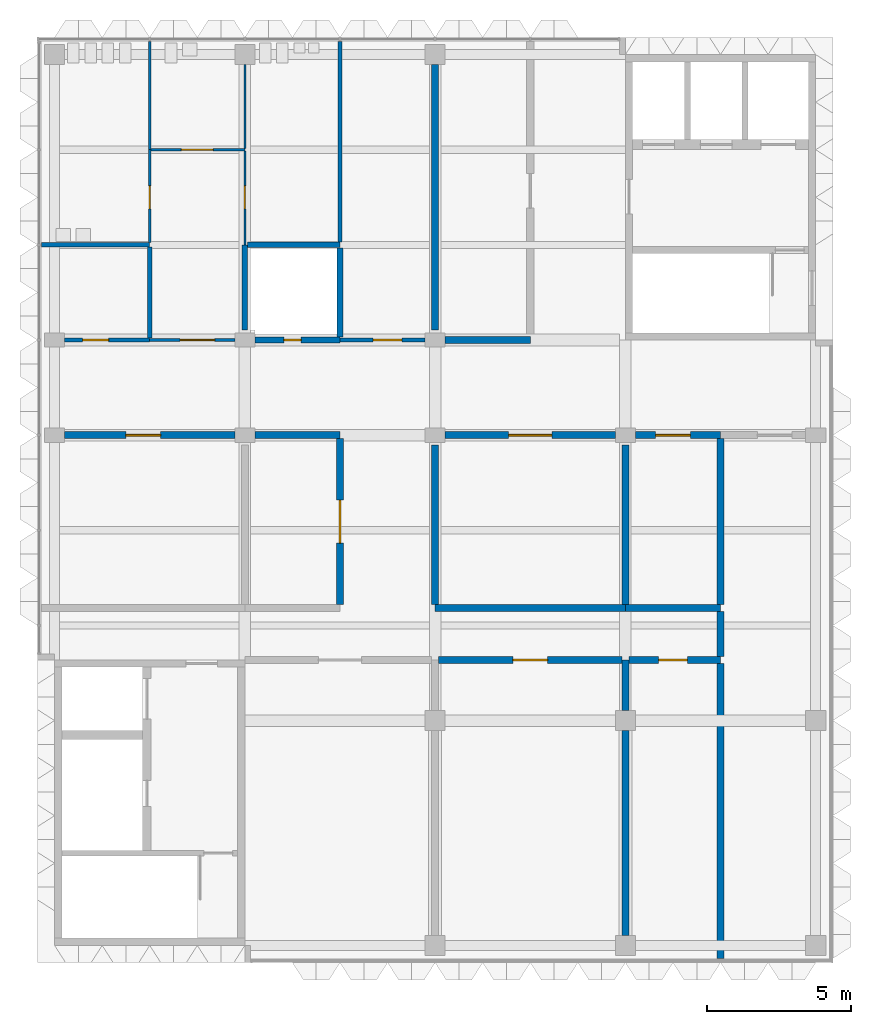
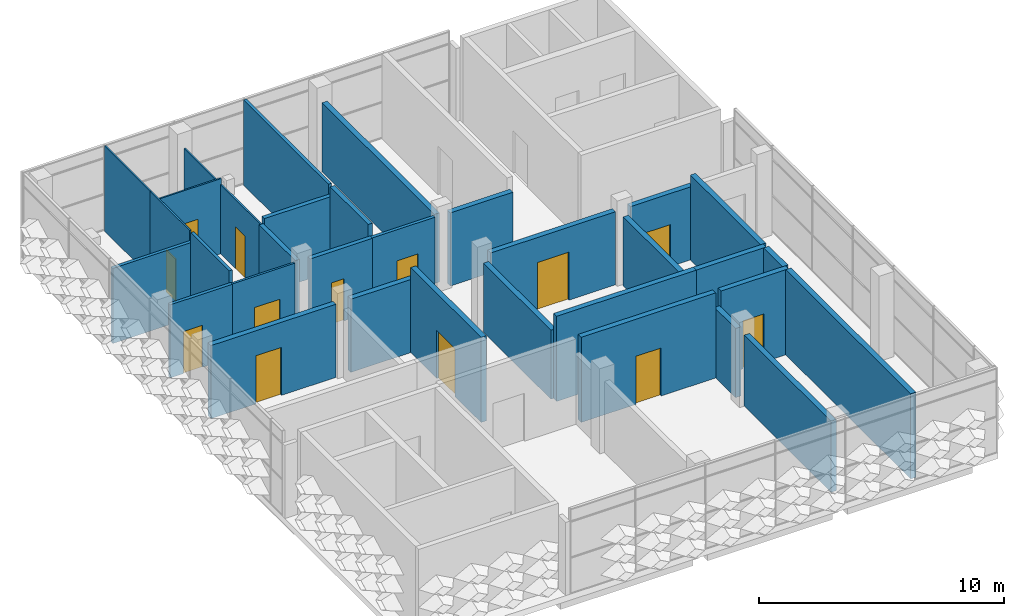
# One storey, part 9 of 21: 33 walls, 13 doors, 13 openings.
"""IFC4 building model written with IfcOpenShell, lengths in metres."""

from ifc_helpers import new_model, si_unit, direction, frame, frame_2d, origin, place, context, subcontext, project, spatial, rectangle, extrude, material, layer, layer_set, type_object, element, fill, save


model = new_model("IFC4")

# Units and contexts
model_context = context("Model", 3, precision=1e-05, world=origin(), true_north=direction((0.0, 1.0)))
body_context = subcontext(model_context, "Body", "Model", "MODEL_VIEW")
ifc_project = project(units=[si_unit("LENGTHUNIT", "METRE"), si_unit("AREAUNIT", "SQUARE_METRE"), si_unit("VOLUMEUNIT", "CUBIC_METRE"), si_unit("PLANEANGLEUNIT", "RADIAN"), si_unit("MASSUNIT", "GRAM", prefix="KILO")], contexts=[model_context])

# Site, building, storey
site_placement = place(None, origin())
site = spatial("IfcSite", under=ifc_project, at=site_placement, CompositionType="ELEMENT")
building_placement = place(site_placement, origin())
building = spatial("IfcBuilding", under=site, at=building_placement, Name="Lantern Court Research Institute", CompositionType="ELEMENT")
storey_placement = place(building_placement, frame((0.0, 0.0, 41.39990234375)))
storey = spatial("IfcBuildingStorey", under=building, at=storey_placement, Name="L09", CompositionType="ELEMENT", Elevation=41.39990234375)

# Wall, opening, door
ifc_material_1 = material(Name="Fire-rated gypsum board partition, mineral wool filled")
ifc_layer_1 = layer(ifc_material_1, 0.199951171875)
ifc_layer_set_1 = layer_set([ifc_layer_1], Name="Fire-rated gypsum board partition, mineral wool filled")
wall_type_1 = type_object("IfcWallType", Name="Compartment wall 200 EI 120", PredefinedType="PARTITIONING", material=ifc_layer_set_1)
wall_1_placement = place(storey_placement, frame((59.75, 13.199951171875, 0.0), z_axis=(0.0, 0.0, 1.0), x_axis=(1.0, 0.0, 0.0)))
wall_1 = element("IfcWall", 1, at=wall_1_placement, inside=storey, type_object=wall_type_1, Name="Compartment wall 200 EI 120", PredefinedType="PARTITIONING", context=body_context, shape_type="SweptSolid", body=[
    extrude(rectangle(XDim=2.949951171875, YDim=0.199951171875, at=frame_2d((1.47509765625, 0.0))), origin(), (0.0, 0.0, 1.0), 3.650146484375),
])
opening_1_placement = place(wall_1_placement, frame((1.0, 0.0, 0.0)))
opening_1 = element("IfcOpeningElement", 2, at=opening_1_placement, cuts=wall_1, Name="Opening D5905", PredefinedType="OPENING", context=body_context, shape_type="SweptSolid", body=[
    extrude(rectangle(XDim=0.60009765625, YDim=2.10009765625, at=frame_2d((0.300048828125, 1.050048828125))), frame((0.0, 0.10986328125, 0.0), z_axis=(0.0, -1.0, 0.0), x_axis=(1.0, 0.0, 0.0)), (0.0, 0.0, 1.0), 0.219970703125),
])
ifc_material_2 = material(Name="Solid-core timber door leaf", Category="wood")
ifc_layer_2 = layer(ifc_material_2, 0.06005859375)
ifc_layer_set_2 = layer_set([ifc_layer_2], Name="Solid-core timber door leaf")
door_type_1 = type_object("IfcDoorType", Name="Service riser door 600 x 2100 single FD60", OperationType="NOTDEFINED", PredefinedType="DOOR", material=ifc_layer_set_2)
door_1_placement = place(opening_1_placement, origin())
door_1 = element("IfcDoor", 3, at=door_1_placement, inside=storey, type_object=door_type_1, Name="Door D5905", OperationType="SINGLE_SWING_RIGHT", OverallHeight=2.10009765625, OverallWidth=0.60009765625, PredefinedType="DOOR", context=body_context, shape_type="SweptSolid", body=[
    extrude(rectangle(XDim=0.60009765625, YDim=2.10009765625, at=frame_2d((0.300048828125, 1.050048828125))), frame((0.0, 0.030029296875, 0.0), z_axis=(0.0, -1.0, 0.0), x_axis=(1.0, 0.0, 0.0)), (0.0, 0.0, 1.0), 0.06005859375),
])
fill(opening_1, door_1)

# Walls
wall_2_placement = place(storey_placement, frame((59.39990234375, 13.550048828125, 0.0), z_axis=(0.0, 0.0, 1.0), x_axis=(0.0, 1.0, 0.0)))
element("IfcWall", 4, at=wall_2_placement, inside=storey, type_object=wall_type_1, Name="Compartment wall 200 EI 120", PredefinedType="PARTITIONING", context=body_context, shape_type="SweptSolid", body=[
    extrude(rectangle(XDim=2.949951171875, YDim=0.199951171875, at=frame_2d((1.47509765625, 0.0))), origin(), (0.0, 0.0, 1.0), 3.4501953125),
])
wall_3_placement = place(storey_placement, frame((62.699951171875, 16.5, 0.0), z_axis=(0.0, 0.0, 1.0), x_axis=(-1.0, 0.0, 0.0)))
element("IfcWall", 5, at=wall_3_placement, inside=storey, type_object=wall_type_1, Name="Compartment wall 200 EI 120", PredefinedType="PARTITIONING", context=body_context, shape_type="SweptSolid", body=[
    extrude(rectangle(XDim=3.199951171875, YDim=0.199951171875, at=frame_2d((1.60009765625, 0.0))), origin(), (0.0, 0.0, 1.0), 3.75),
])
wall_4_placement = place(storey_placement, frame((62.699951171875, 13.300048828125, 0.0), z_axis=(0.0, 0.0, 1.0), x_axis=(0.0, 1.0, 0.0)))
element("IfcWall", 6, at=wall_4_placement, inside=storey, type_object=wall_type_1, Name="Compartment wall 200 EI 120", PredefinedType="PARTITIONING", context=body_context, shape_type="SweptSolid", body=[
    extrude(rectangle(XDim=3.099853515625, YDim=0.199951171875, at=frame_2d((1.5498046875, 0.0))), origin(), (0.0, 0.0, 1.0), 4.25),
])

# Wall, opening, door
ifc_material_3 = material(Name="Fire-rated gypsum board partition, mineral wool filled")
ifc_layer_3 = layer(ifc_material_3, 0.14990234375)
ifc_layer_set_3 = layer_set([ifc_layer_3], Name="Fire-rated gypsum board partition, mineral wool filled")
wall_type_2 = type_object("IfcWallType", Name="Laboratory partition 150 EI 60", PredefinedType="PARTITIONING", material=ifc_layer_set_3)
wall_5_placement = place(storey_placement, frame((56.10009765625, 13.199951171875, 0.0), z_axis=(0.0, 0.0, 1.0), x_axis=(-1.0, 0.0, 0.0)))
wall_5 = element("IfcWall", 7, at=wall_5_placement, inside=storey, type_object=wall_type_2, Name="Laboratory partition 150 EI 60", PredefinedType="PARTITIONING", context=body_context, shape_type="SweptSolid", body=[
    extrude(rectangle(XDim=2.9501953125, YDim=0.14990234375, at=frame_2d((1.47509765625, 0.0))), origin(), (0.0, 0.0, 1.0), 3.650146484375),
])
opening_2_placement = place(wall_5_placement, frame((1.425048828125, 0.0, 0.0)))
opening_2 = element("IfcOpeningElement", 8, at=opening_2_placement, cuts=wall_5, Name="Opening D5901", PredefinedType="OPENING", context=body_context, shape_type="SweptSolid", body=[
    extrude(rectangle(XDim=0.89990234375, YDim=2.10009765625, at=frame_2d((0.449951171875, 1.050048828125))), frame((0.0, 0.0849609375, 0.0), z_axis=(0.0, -1.0, 0.0), x_axis=(1.0, 0.0, 0.0)), (0.0, 0.0, 1.0), 0.169921875),
])
ifc_material_4 = material(Name="Solid-core timber door leaf", Category="wood")
ifc_layer_4 = layer(ifc_material_4, 0.053955078125)
ifc_layer_set_4 = layer_set([ifc_layer_4], Name="Solid-core timber door leaf")
door_type_2 = type_object("IfcDoorType", Name="Cleaners store door 900 x 2100 single FD30S", OperationType="NOTDEFINED", PredefinedType="DOOR", material=ifc_layer_set_4)
door_2_placement = place(opening_2_placement, origin())
door_2 = element("IfcDoor", 9, at=door_2_placement, inside=storey, type_object=door_type_2, Name="Door D5901", OperationType="SINGLE_SWING_LEFT", OverallHeight=2.10009765625, OverallWidth=0.89990234375, PredefinedType="DOOR", context=body_context, shape_type="SweptSolid", body=[
    extrude(rectangle(XDim=0.89990234375, YDim=2.10009765625, at=frame_2d((0.449951171875, 1.050048828125))), frame((0.0, 0.02685546875, 0.0), z_axis=(0.0, -1.0, 0.0), x_axis=(1.0, 0.0, 0.0)), (0.0, 0.0, 1.0), 0.053955078125),
])
fill(opening_2, door_2)

wall_6_placement = place(storey_placement, frame((62.699951171875, 13.199951171875, 0.0), z_axis=(0.0, 0.0, 1.0), x_axis=(1.0, 0.0, 0.0)))
wall_6 = element("IfcWall", 10, at=wall_6_placement, inside=storey, type_object=wall_type_2, Name="Laboratory partition 150 EI 60", PredefinedType="PARTITIONING", context=body_context, shape_type="SweptSolid", body=[
    extrude(rectangle(XDim=2.949951171875, YDim=0.14990234375, at=frame_2d((1.47509765625, 0.0))), origin(), (0.0, 0.0, 1.0), 3.650146484375),
])
opening_3_placement = place(wall_6_placement, frame((1.14990234375, 0.0, 0.0)))
opening_3 = element("IfcOpeningElement", 11, at=opening_3_placement, cuts=wall_6, Name="Opening D5907", PredefinedType="OPENING", context=body_context, shape_type="SweptSolid", body=[
    extrude(rectangle(XDim=1.0, YDim=2.10009765625, at=frame_2d((0.5, 1.050048828125))), frame((0.0, 0.0849609375, 0.0), z_axis=(0.0, -1.0, 0.0), x_axis=(1.0, 0.0, 0.0)), (0.0, 0.0, 1.0), 0.169921875),
])
ifc_material_5 = material(Name="Solid-core timber door leaf", Category="wood")
ifc_layer_5 = layer(ifc_material_5, 0.053955078125)
ifc_layer_set_5 = layer_set([ifc_layer_5], Name="Solid-core timber door leaf")
door_type_3 = type_object("IfcDoorType", Name="Control room door 1000 x 2100 single FD30S", OperationType="NOTDEFINED", PredefinedType="DOOR", material=ifc_layer_set_5)
door_3_placement = place(opening_3_placement, origin())
door_3 = element("IfcDoor", 12, at=door_3_placement, inside=storey, type_object=door_type_3, Name="Door D5907", OperationType="SINGLE_SWING_RIGHT", OverallHeight=2.10009765625, OverallWidth=1.0, PredefinedType="DOOR", context=body_context, shape_type="SweptSolid", body=[
    extrude(rectangle(XDim=1.0, YDim=2.10009765625, at=frame_2d((0.5, 1.050048828125))), frame((0.0, 0.02685546875, 0.0), z_axis=(0.0, -1.0, 0.0), x_axis=(1.0, 0.0, 0.0)), (0.0, 0.0, 1.0), 0.053955078125),
])
fill(opening_3, door_3)

# Walls
wall_7_placement = place(storey_placement, frame((56.10009765625, 16.5, 0.0), z_axis=(0.0, 0.0, 1.0), x_axis=(-1.0, 0.0, 0.0)))
element("IfcWall", 13, at=wall_7_placement, inside=storey, type_object=wall_type_2, Name="Laboratory partition 150 EI 60", PredefinedType="PARTITIONING", context=body_context, shape_type="SweptSolid", body=[
    extrude(rectangle(XDim=3.75, YDim=0.14990234375, at=frame_2d((1.875, 0.0))), origin(), (0.0, 0.0, 1.0), 3.75),
])
wall_8_placement = place(storey_placement, frame((56.10009765625, 13.27490234375, 0.0), z_axis=(0.0, 0.0, 1.0), x_axis=(0.0, 1.0, 0.0)))
element("IfcWall", 14, at=wall_8_placement, inside=storey, type_object=wall_type_2, Name="Laboratory partition 150 EI 60", PredefinedType="PARTITIONING", context=body_context, shape_type="SweptSolid", body=[
    extrude(rectangle(XDim=3.150146484375, YDim=0.14990234375, at=frame_2d((1.5751953125, 0.0))), origin(), (0.0, 0.0, 1.0), 4.25),
])
wall_9_placement = place(storey_placement, frame((62.699951171875, 16.60009765625, 0.0), z_axis=(0.0, 0.0, 1.0), x_axis=(0.0, 1.0, 0.0)))
element("IfcWall", 15, at=wall_9_placement, inside=storey, type_object=wall_type_2, Name="Laboratory partition 150 EI 60", PredefinedType="PARTITIONING", context=body_context, shape_type="SweptSolid", body=[
    extrude(rectangle(XDim=6.949951171875, YDim=0.14990234375, at=frame_2d((3.47509765625, 0.0))), origin(), (0.0, 0.0, 1.0), 4.25),
])

# Wall, opening, door
ifc_material_6 = material(Name="Gypsum board partition, mineral wool filled")
ifc_layer_6 = layer(ifc_material_6, 0.10009765625)
ifc_layer_set_6 = layer_set([ifc_layer_6], Name="Gypsum board partition, mineral wool filled")
wall_type_3 = type_object("IfcWallType", Name="Partition 100", PredefinedType="PARTITIONING", material=ifc_layer_set_6)
wall_10_placement = place(storey_placement, frame((56.10009765625, 13.199951171875, 0.0), z_axis=(0.0, 0.0, 1.0), x_axis=(1.0, 0.0, 0.0)))
wall_10 = element("IfcWall", 16, at=wall_10_placement, inside=storey, type_object=wall_type_3, Name="Partition 100", PredefinedType="PARTITIONING", context=body_context, shape_type="SweptSolid", body=[
    extrude(rectangle(XDim=2.949951171875, YDim=0.10009765625, at=frame_2d((1.47509765625, 0.0))), origin(), (0.0, 0.0, 1.0), 3.650146484375),
])
opening_4_placement = place(wall_10_placement, frame((1.050048828125, 0.0, 0.0)))
opening_4 = element("IfcOpeningElement", 17, at=opening_4_placement, cuts=wall_10, Name="Opening D5903", PredefinedType="OPENING", context=body_context, shape_type="SweptSolid", body=[
    extrude(rectangle(XDim=1.199951171875, YDim=2.10009765625, at=frame_2d((0.60009765625, 1.050048828125))), frame((0.0, 0.06005859375, 0.0), z_axis=(0.0, -1.0, 0.0), x_axis=(1.0, 0.0, 0.0)), (0.0, 0.0, 1.0), 0.1201171875),
])
ifc_material_7 = material(Name="Solid-core timber door leaf", Category="wood")
ifc_layer_7 = layer(ifc_material_7, 0.0439453125)
ifc_layer_set_7 = layer_set([ifc_layer_7], Name="Solid-core timber door leaf")
door_type_4 = type_object("IfcDoorType", Name="WC vestibule door 1200 x 2100 single NOT RATED", OperationType="NOTDEFINED", PredefinedType="DOOR", material=ifc_layer_set_7)
door_4_placement = place(opening_4_placement, origin())
door_4 = element("IfcDoor", 18, at=door_4_placement, inside=storey, type_object=door_type_4, Name="Door D5903", OperationType="SINGLE_SWING_RIGHT", OverallHeight=2.10009765625, OverallWidth=1.199951171875, PredefinedType="DOOR", context=body_context, shape_type="SweptSolid", body=[
    extrude(rectangle(XDim=1.199951171875, YDim=2.10009765625, at=frame_2d((0.60009765625, 1.050048828125))), frame((0.0, 0.02197265625, 0.0), z_axis=(0.0, -1.0, 0.0), x_axis=(1.0, 0.0, 0.0)), (0.0, 0.0, 1.0), 0.0439453125),
])
fill(opening_4, door_4)

# Wall
ifc_material_8 = material(Name="Fire-rated gypsum board partition, double stud, mineral wool filled")
ifc_layer_8 = layer(ifc_material_8, 0.25)
ifc_layer_set_8 = layer_set([ifc_layer_8], Name="Fire-rated gypsum board partition, double stud, mineral wool filled")
wall_type_4 = type_object("IfcWallType", Name="Plant compartment wall 250 EI 120", PredefinedType="PARTITIONING", material=ifc_layer_set_8)
wall_11_placement = place(storey_placement, frame((69.300048828125, 13.199951171875, 0.0), z_axis=(0.0, 0.0, 1.0), x_axis=(-1.0, 0.0, 0.0)))
element("IfcWall", 19, at=wall_11_placement, inside=storey, type_object=wall_type_4, Name="Plant compartment wall 250 EI 120", PredefinedType="PARTITIONING", context=body_context, shape_type="SweptSolid", body=[
    extrude(rectangle(XDim=2.949951171875, YDim=0.25, at=frame_2d((1.47509765625, 0.0))), origin(), (0.0, 0.0, 1.0), 3.650146484375),
])

# Wall, opening, door
wall_12_placement = place(storey_placement, frame((53.14990234375, 9.89990234375, 0.0), z_axis=(0.0, 0.0, 1.0), x_axis=(1.0, 0.0, 0.0)))
wall_12 = element("IfcWall", 20, at=wall_12_placement, inside=storey, type_object=wall_type_4, Name="Plant compartment wall 250 EI 120", PredefinedType="PARTITIONING", context=body_context, shape_type="SweptSolid", body=[
    extrude(rectangle(XDim=5.900146484375, YDim=0.25, at=frame_2d((2.9501953125, 0.0))), origin(), (0.0, 0.0, 1.0), 3.650146484375),
])
opening_5_placement = place(wall_12_placement, frame((2.125, 0.0, 0.0)))
opening_5 = element("IfcOpeningElement", 21, at=opening_5_placement, cuts=wall_12, Name="Opening D5912", PredefinedType="OPENING", context=body_context, shape_type="SweptSolid", body=[
    extrude(rectangle(XDim=1.199951171875, YDim=2.39990234375, at=frame_2d((0.60009765625, 1.199951171875))), frame((0.0, 0.135009765625, 0.0), z_axis=(0.0, -1.0, 0.0), x_axis=(1.0, 0.0, 0.0)), (0.0, 0.0, 1.0), 0.27001953125),
])
ifc_material_9 = material(Name="Solid-core timber door leaf", Category="wood")
ifc_layer_9 = layer(ifc_material_9, 0.06005859375)
ifc_layer_set_9 = layer_set([ifc_layer_9], Name="Solid-core timber door leaf")
door_type_5 = type_object("IfcDoorType", Name="Plant room door 1200 x 2400 single FD60", OperationType="NOTDEFINED", PredefinedType="DOOR", material=ifc_layer_set_9)
door_5_placement = place(opening_5_placement, origin())
door_5 = element("IfcDoor", 22, at=door_5_placement, inside=storey, type_object=door_type_5, Name="Door D5912", OperationType="SINGLE_SWING_LEFT", OverallHeight=2.39990234375, OverallWidth=1.199951171875, PredefinedType="DOOR", context=body_context, shape_type="SweptSolid", body=[
    extrude(rectangle(XDim=1.199951171875, YDim=2.39990234375, at=frame_2d((0.60009765625, 1.199951171875))), frame((0.0, 0.030029296875, 0.0), z_axis=(0.0, -1.0, 0.0), x_axis=(1.0, 0.0, 0.0)), (0.0, 0.0, 1.0), 0.06005859375),
])
fill(opening_5, door_5)

# Wall
wall_13_placement = place(storey_placement, frame((59.75, 9.89990234375, 0.0), z_axis=(0.0, 0.0, 1.0), x_axis=(1.0, 0.0, 0.0)))
element("IfcWall", 23, at=wall_13_placement, inside=storey, type_object=wall_type_4, Name="Plant compartment wall 250 EI 120", PredefinedType="PARTITIONING", context=body_context, shape_type="SweptSolid", body=[
    extrude(rectangle(XDim=2.949951171875, YDim=0.25, at=frame_2d((1.47509765625, 0.0))), origin(), (0.0, 0.0, 1.0), 3.650146484375),
])

# Wall, opening, door
wall_14_placement = place(storey_placement, frame((66.35009765625, 9.89990234375, 0.0), z_axis=(0.0, 0.0, 1.0), x_axis=(1.0, 0.0, 0.0)))
wall_14 = element("IfcWall", 24, at=wall_14_placement, inside=storey, type_object=wall_type_4, Name="Plant compartment wall 250 EI 120", PredefinedType="PARTITIONING", context=body_context, shape_type="SweptSolid", body=[
    extrude(rectangle(XDim=5.89990234375, YDim=0.25, at=frame_2d((2.949951171875, 0.0))), origin(), (0.0, 0.0, 1.0), 3.650146484375),
])
opening_6_placement = place(wall_14_placement, frame((2.199951171875, 0.0, 0.0)))
opening_6 = element("IfcOpeningElement", 25, at=opening_6_placement, cuts=wall_14, Name="Opening D5914", PredefinedType="OPENING", context=body_context, shape_type="SweptSolid", body=[
    extrude(rectangle(XDim=1.5, YDim=2.39990234375, at=frame_2d((0.75, 1.199951171875))), frame((0.0, 0.135009765625, 0.0), z_axis=(0.0, -1.0, 0.0), x_axis=(1.0, 0.0, 0.0)), (0.0, 0.0, 1.0), 0.27001953125),
])
ifc_material_10 = material(Name="Solid-core timber door leaf", Category="wood")
ifc_layer_10 = layer(ifc_material_10, 0.06005859375)
ifc_layer_set_10 = layer_set([ifc_layer_10], Name="Solid-core timber door leaf")
door_type_6 = type_object("IfcDoorType", Name="Exhaust fan room door 1500 x 2400 pair FD60", OperationType="DOUBLE_DOOR_SINGLE_SWING", PredefinedType="DOOR", material=ifc_layer_set_10)
door_6_placement = place(opening_6_placement, origin())
door_6 = element("IfcDoor", 26, at=door_6_placement, inside=storey, type_object=door_type_6, Name="Door D5914", OperationType="DOUBLE_DOOR_SINGLE_SWING", OverallHeight=2.39990234375, OverallWidth=1.5, PredefinedType="DOOR", context=body_context, shape_type="SweptSolid", body=[
    extrude(rectangle(XDim=1.5, YDim=2.39990234375, at=frame_2d((0.75, 1.199951171875))), frame((0.0, 0.030029296875, 0.0), z_axis=(0.0, -1.0, 0.0), x_axis=(1.0, 0.0, 0.0)), (0.0, 0.0, 1.0), 0.06005859375),
])
fill(opening_6, door_6)

wall_15_placement = place(storey_placement, frame((72.949951171875, 9.89990234375, 0.0), z_axis=(0.0, 0.0, 1.0), x_axis=(1.0, 0.0, 0.0)))
wall_15 = element("IfcWall", 27, at=wall_15_placement, inside=storey, type_object=wall_type_4, Name="Plant compartment wall 250 EI 120", PredefinedType="PARTITIONING", context=body_context, shape_type="SweptSolid", body=[
    extrude(rectangle(XDim=2.949951171875, YDim=0.25, at=frame_2d((1.47509765625, 0.0))), origin(), (0.0, 0.0, 1.0), 3.650146484375),
])
opening_7_placement = place(wall_15_placement, frame((0.699951171875, 0.0, 0.0)))
opening_7 = element("IfcOpeningElement", 28, at=opening_7_placement, cuts=wall_15, Name="Opening D5915", PredefinedType="OPENING", context=body_context, shape_type="SweptSolid", body=[
    extrude(rectangle(XDim=1.199951171875, YDim=2.10009765625, at=frame_2d((0.60009765625, 1.050048828125))), frame((0.0, 0.135009765625, 0.0), z_axis=(0.0, -1.0, 0.0), x_axis=(1.0, 0.0, 0.0)), (0.0, 0.0, 1.0), 0.27001953125),
])
ifc_material_11 = material(Name="Solid-core timber door leaf", Category="wood")
ifc_layer_11 = layer(ifc_material_11, 0.06005859375)
ifc_layer_set_11 = layer_set([ifc_layer_11], Name="Solid-core timber door leaf")
door_type_7 = type_object("IfcDoorType", Name="Air handling plant door 1200 x 2100 single FD60", OperationType="NOTDEFINED", PredefinedType="DOOR", material=ifc_layer_set_11)
door_7_placement = place(opening_7_placement, origin())
door_7 = element("IfcDoor", 29, at=door_7_placement, inside=storey, type_object=door_type_7, Name="Door D5915", OperationType="SINGLE_SWING_LEFT", OverallHeight=2.10009765625, OverallWidth=1.199951171875, PredefinedType="DOOR", context=body_context, shape_type="SweptSolid", body=[
    extrude(rectangle(XDim=1.199951171875, YDim=2.10009765625, at=frame_2d((0.60009765625, 1.050048828125))), frame((0.0, 0.030029296875, 0.0), z_axis=(0.0, -1.0, 0.0), x_axis=(1.0, 0.0, 0.0)), (0.0, 0.0, 1.0), 0.06005859375),
])
fill(opening_7, door_7)

# Walls
wall_16_placement = place(storey_placement, frame((66.0, 13.550048828125, 0.0), z_axis=(0.0, 0.0, 1.0), x_axis=(0.0, 1.0, 0.0)))
element("IfcWall", 30, at=wall_16_placement, inside=storey, type_object=wall_type_4, Name="Plant compartment wall 250 EI 120", PredefinedType="PARTITIONING", context=body_context, shape_type="SweptSolid", body=[
    extrude(rectangle(XDim=9.199951171875, YDim=0.25, at=frame_2d((4.60009765625, 0.0))), origin(), (0.0, 0.0, 1.0), 3.4501953125),
])
wall_17_placement = place(storey_placement, frame((72.60009765625, -7.449951171875, 0.0), z_axis=(0.0, 0.0, 1.0), x_axis=(0.0, 1.0, 0.0)))
element("IfcWall", 31, at=wall_17_placement, inside=storey, type_object=wall_type_4, Name="Plant compartment wall 250 EI 120", PredefinedType="PARTITIONING", context=body_context, shape_type="SweptSolid", body=[
    extrude(rectangle(XDim=7.099853515625, YDim=0.25, at=frame_2d((3.5498046875, 0.0))), origin(), (0.0, 0.0, 1.0), 3.550048828125),
])
wall_18_placement = place(storey_placement, frame((72.60009765625, 0.35009765625, 0.0), z_axis=(0.0, 0.0, 1.0), x_axis=(0.0, 1.0, 0.0)))
element("IfcWall", 32, at=wall_18_placement, inside=storey, type_object=wall_type_4, Name="Plant compartment wall 250 EI 120", PredefinedType="PARTITIONING", context=body_context, shape_type="SweptSolid", body=[
    extrude(rectangle(XDim=1.75, YDim=0.25, at=frame_2d((0.875, 0.0))), origin(), (0.0, 0.0, 1.0), 3.4501953125),
])

# Wall, opening, door
wall_19_placement = place(storey_placement, frame((72.47509765625, 2.10009765625, 0.0), z_axis=(0.0, 0.0, 1.0), x_axis=(-1.0, 0.0, 0.0)))
wall_19 = element("IfcWall", 33, at=wall_19_placement, inside=storey, type_object=wall_type_4, Name="Plant compartment wall 250 EI 120", PredefinedType="PARTITIONING", context=body_context, shape_type="SweptSolid", body=[
    extrude(rectangle(XDim=6.35009765625, YDim=0.25, at=frame_2d((3.175048828125, 0.0))), origin(), (0.0, 0.0, 1.0), 4.25),
])
opening_8_placement = place(wall_19_placement, frame((2.574951171875, 0.0, 0.0)))
opening_8 = element("IfcOpeningElement", 34, at=opening_8_placement, cuts=wall_19, Name="Opening D5910", PredefinedType="OPENING", context=body_context, shape_type="SweptSolid", body=[
    extrude(rectangle(XDim=1.199951171875, YDim=2.39990234375, at=frame_2d((0.60009765625, 1.199951171875))), frame((0.0, 0.135009765625, 0.0), z_axis=(0.0, -1.0, 0.0), x_axis=(1.0, 0.0, 0.0)), (0.0, 0.0, 1.0), 0.27001953125),
])
door_8_placement = place(opening_8_placement, origin())
door_8 = element("IfcDoor", 35, at=door_8_placement, inside=storey, type_object=door_type_5, Name="Door D5910", OperationType="SINGLE_SWING_LEFT", OverallHeight=2.39990234375, OverallWidth=1.199951171875, PredefinedType="DOOR", context=body_context, shape_type="SweptSolid", body=[
    extrude(rectangle(XDim=1.199951171875, YDim=2.39990234375, at=frame_2d((0.60009765625, 1.199951171875))), frame((0.0, 0.030029296875, 0.0), z_axis=(0.0, -1.0, 0.0), x_axis=(1.0, 0.0, 0.0)), (0.0, 0.0, 1.0), 0.06005859375),
])
fill(opening_8, door_8)

wall_20_placement = place(storey_placement, frame((75.89990234375, 2.10009765625, 0.0), z_axis=(0.0, 0.0, 1.0), x_axis=(-1.0, 0.0, 0.0)))
wall_20 = element("IfcWall", 36, at=wall_20_placement, inside=storey, type_object=wall_type_4, Name="Plant compartment wall 250 EI 120", PredefinedType="PARTITIONING", context=body_context, shape_type="SweptSolid", body=[
    extrude(rectangle(XDim=3.1748046875, YDim=0.25, at=frame_2d((1.58740234375, 0.0))), origin(), (0.0, 0.0, 1.0), 4.25),
])
opening_9_placement = place(wall_20_placement, frame((1.14990234375, 0.0, 0.0)))
opening_9 = element("IfcOpeningElement", 37, at=opening_9_placement, cuts=wall_20, Name="Opening D5911", PredefinedType="OPENING", context=body_context, shape_type="SweptSolid", body=[
    extrude(rectangle(XDim=1.0, YDim=2.39990234375, at=frame_2d((0.5, 1.199951171875))), frame((0.0, 0.135009765625, 0.0), z_axis=(0.0, -1.0, 0.0), x_axis=(1.0, 0.0, 0.0)), (0.0, 0.0, 1.0), 0.27001953125),
])
ifc_material_12 = material(Name="Solid-core timber door leaf", Category="wood")
ifc_layer_12 = layer(ifc_material_12, 0.06005859375)
ifc_layer_set_12 = layer_set([ifc_layer_12], Name="Solid-core timber door leaf")
door_type_8 = type_object("IfcDoorType", Name="Switch room door 1000 x 2400 single FD60", OperationType="NOTDEFINED", PredefinedType="DOOR", material=ifc_layer_set_12)
door_9_placement = place(opening_9_placement, origin())
door_9 = element("IfcDoor", 38, at=door_9_placement, inside=storey, type_object=door_type_8, Name="Door D5911", OperationType="SINGLE_SWING_LEFT", OverallHeight=2.39990234375, OverallWidth=1.0, PredefinedType="DOOR", context=body_context, shape_type="SweptSolid", body=[
    extrude(rectangle(XDim=1.0, YDim=2.39990234375, at=frame_2d((0.5, 1.199951171875))), frame((0.0, 0.030029296875, 0.0), z_axis=(0.0, -1.0, 0.0), x_axis=(1.0, 0.0, 0.0)), (0.0, 0.0, 1.0), 0.06005859375),
])
fill(opening_9, door_9)

# Walls
wall_21_placement = place(storey_placement, frame((75.89990234375, -8.25, 0.0), z_axis=(0.0, 0.0, 1.0), x_axis=(0.0, 1.0, 0.0)))
element("IfcWall", 39, at=wall_21_placement, inside=storey, type_object=wall_type_4, Name="Plant compartment wall 250 EI 120", PredefinedType="PARTITIONING", context=body_context, shape_type="SweptSolid", body=[
    extrude(rectangle(XDim=10.22509765625, YDim=0.25, at=frame_2d((5.112548828125, 0.0))), origin(), (0.0, 0.0, 1.0), 4.25),
])
wall_22_placement = place(storey_placement, frame((72.60009765625, 3.89990234375, 0.0), z_axis=(0.0, 0.0, 1.0), x_axis=(-1.0, 0.0, 0.0)))
element("IfcWall", 40, at=wall_22_placement, inside=storey, type_object=wall_type_4, Name="Plant compartment wall 250 EI 120", PredefinedType="PARTITIONING", context=body_context, shape_type="SweptSolid", body=[
    extrude(rectangle(XDim=6.60009765625, YDim=0.25, at=frame_2d((3.300048828125, 0.0))), origin(), (0.0, 0.0, 1.0), 4.25),
])
wall_23_placement = place(storey_placement, frame((75.89990234375, 3.89990234375, 0.0), z_axis=(0.0, 0.0, 1.0), x_axis=(-1.0, 0.0, 0.0)))
element("IfcWall", 41, at=wall_23_placement, inside=storey, type_object=wall_type_4, Name="Plant compartment wall 250 EI 120", PredefinedType="PARTITIONING", context=body_context, shape_type="SweptSolid", body=[
    extrude(rectangle(XDim=3.2998046875, YDim=0.25, at=frame_2d((1.64990234375, 0.0))), origin(), (0.0, 0.0, 1.0), 4.25),
])
wall_24_placement = place(storey_placement, frame((75.89990234375, 2.22509765625, 0.0), z_axis=(0.0, 0.0, 1.0), x_axis=(0.0, 1.0, 0.0)))
element("IfcWall", 42, at=wall_24_placement, inside=storey, type_object=wall_type_4, Name="Plant compartment wall 250 EI 120", PredefinedType="PARTITIONING", context=body_context, shape_type="SweptSolid", body=[
    extrude(rectangle(XDim=1.5498046875, YDim=0.25, at=frame_2d((0.77490234375, 0.0))), origin(), (0.0, 0.0, 1.0), 4.25),
])

# Wall, opening, door
wall_25_placement = place(storey_placement, frame((62.699951171875, 9.77490234375, 0.0), z_axis=(0.0, 0.0, 1.0), x_axis=(0.0, -1.0, 0.0)))
wall_25 = element("IfcWall", 43, at=wall_25_placement, inside=storey, type_object=wall_type_4, Name="Plant compartment wall 250 EI 120", PredefinedType="PARTITIONING", context=body_context, shape_type="SweptSolid", body=[
    extrude(rectangle(XDim=5.75, YDim=0.25, at=frame_2d((2.875, 0.0))), origin(), (0.0, 0.0, 1.0), 4.25),
])
opening_10_placement = place(wall_25_placement, frame((2.125, 0.0, 0.0)))
opening_10 = element("IfcOpeningElement", 44, at=opening_10_placement, cuts=wall_25, Name="Opening D5913", PredefinedType="OPENING", context=body_context, shape_type="SweptSolid", body=[
    extrude(rectangle(XDim=1.5, YDim=2.39990234375, at=frame_2d((0.75, 1.199951171875))), frame((0.0, 0.135009765625, 0.0), z_axis=(0.0, -1.0, 0.0), x_axis=(1.0, 0.0, 0.0)), (0.0, 0.0, 1.0), 0.27001953125),
])
door_10_placement = place(opening_10_placement, origin())
door_10 = element("IfcDoor", 45, at=door_10_placement, inside=storey, type_object=door_type_6, Name="Door D5913", OperationType="DOUBLE_DOOR_SINGLE_SWING", OverallHeight=2.39990234375, OverallWidth=1.5, PredefinedType="DOOR", context=body_context, shape_type="SweptSolid", body=[
    extrude(rectangle(XDim=1.5, YDim=2.39990234375, at=frame_2d((0.75, 1.199951171875))), frame((0.0, 0.030029296875, 0.0), z_axis=(0.0, -1.0, 0.0), x_axis=(1.0, 0.0, 0.0)), (0.0, 0.0, 1.0), 0.06005859375),
])
fill(opening_10, door_10)

# Walls
for number, where, z_axis, x_axis, name in (
    (46, (66.0, 4.02490234375, 0.0), (0.0, 0.0, 1.0), (0.0, 1.0, 0.0), "Plant compartment wall 250 EI 120"),
    (47, (72.60009765625, 4.02490234375, 0.0), (0.0, 0.0, 1.0), (0.0, 1.0, 0.0), "Plant compartment wall 250 EI 120"),
):
    element("IfcWall", number, at=place(storey_placement, frame(where, z_axis=z_axis, x_axis=x_axis)), inside=storey, type_object=wall_type_4, Name=name, PredefinedType="PARTITIONING", context=body_context, shape_type="SweptSolid", body=[
        extrude(rectangle(XDim=5.525146484375, YDim=0.25, at=frame_2d((2.7626953125, 0.0))), origin(), (0.0, 0.0, 1.0), 3.4501953125),
    ])
wall_26_placement = place(storey_placement, frame((75.89990234375, 4.02490234375, 0.0), z_axis=(0.0, 0.0, 1.0), x_axis=(0.0, 1.0, 0.0)))
element("IfcWall", 48, at=wall_26_placement, inside=storey, type_object=wall_type_4, Name="Plant compartment wall 250 EI 120", PredefinedType="PARTITIONING", context=body_context, shape_type="SweptSolid", body=[
    extrude(rectangle(XDim=5.75, YDim=0.25, at=frame_2d((2.875, 0.0))), origin(), (0.0, 0.0, 1.0), 4.25),
])

# Wall, opening, door
ifc_material_13 = material(Name="Gypsum board partition, mineral wool filled")
ifc_layer_13 = layer(ifc_material_13, 0.074951171875)
ifc_layer_set_13 = layer_set([ifc_layer_13], Name="Gypsum board partition, mineral wool filled")
wall_type_5 = type_object("IfcWallType", Name="Wet room partition 75", PredefinedType="PARTITIONING", material=ifc_layer_set_13)
wall_27_placement = place(storey_placement, frame((56.10009765625, 16.574951171875, 0.0), z_axis=(0.0, 0.0, 1.0), x_axis=(0.0, 1.0, 0.0)))
wall_27 = element("IfcWall", 49, at=wall_27_placement, inside=storey, type_object=wall_type_5, Name="Wet room partition 75", PredefinedType="PARTITIONING", context=body_context, shape_type="SweptSolid", body=[
    extrude(rectangle(XDim=3.22509765625, YDim=0.074951171875, at=frame_2d((1.612548828125, 0.0))), origin(), (0.0, 0.0, 1.0), 4.25),
])
opening_11_placement = place(wall_27_placement, frame((1.175048828125, 0.0, 0.0)))
opening_11 = element("IfcOpeningElement", 50, at=opening_11_placement, cuts=wall_27, Name="Opening D5902", PredefinedType="OPENING", context=body_context, shape_type="SweptSolid", body=[
    extrude(rectangle(XDim=0.800048828125, YDim=2.10009765625, at=frame_2d((0.39990234375, 1.050048828125))), frame((0.0, 0.04736328125, 0.0), z_axis=(0.0, -1.0, 0.0), x_axis=(1.0, 0.0, 0.0)), (0.0, 0.0, 1.0), 0.094970703125),
])
ifc_material_14 = material(Name="Solid-core timber door leaf", Category="wood")
ifc_layer_14 = layer(ifc_material_14, 0.0439453125)
ifc_layer_set_14 = layer_set([ifc_layer_14], Name="Solid-core timber door leaf")
door_type_9 = type_object("IfcDoorType", Name="WC door 800 x 2100 single NOT RATED", OperationType="NOTDEFINED", PredefinedType="DOOR", material=ifc_layer_set_14)
door_11_placement = place(opening_11_placement, origin())
door_11 = element("IfcDoor", 51, at=door_11_placement, inside=storey, type_object=door_type_9, Name="Door D5902", OperationType="SINGLE_SWING_LEFT", OverallHeight=2.10009765625, OverallWidth=0.800048828125, PredefinedType="DOOR", context=body_context, shape_type="SweptSolid", body=[
    extrude(rectangle(XDim=0.800048828125, YDim=2.10009765625, at=frame_2d((0.39990234375, 1.050048828125))), frame((0.0, 0.02197265625, 0.0), z_axis=(0.0, -1.0, 0.0), x_axis=(1.0, 0.0, 0.0)), (0.0, 0.0, 1.0), 0.0439453125),
])
fill(opening_11, door_11)

# Wall
wall_28_placement = place(storey_placement, frame((56.10009765625, 19.800048828125, 0.0), z_axis=(0.0, 0.0, 1.0), x_axis=(0.0, 1.0, 0.0)))
element("IfcWall", 52, at=wall_28_placement, inside=storey, type_object=wall_type_5, Name="Wet room partition 75", PredefinedType="PARTITIONING", context=body_context, shape_type="SweptSolid", body=[
    extrude(rectangle(XDim=3.75, YDim=0.074951171875, at=frame_2d((1.875, 0.0))), origin(), (0.0, 0.0, 1.0), 4.25),
])

# Wall, opening, door
wall_29_placement = place(storey_placement, frame((56.137451171875, 19.800048828125, 0.0), z_axis=(0.0, 0.0, 1.0), x_axis=(1.0, 0.0, 0.0)))
wall_29 = element("IfcWall", 53, at=wall_29_placement, inside=storey, type_object=wall_type_5, Name="Wet room partition 75", PredefinedType="PARTITIONING", context=body_context, shape_type="SweptSolid", body=[
    extrude(rectangle(XDim=3.262451171875, YDim=0.074951171875, at=frame_2d((1.63134765625, 0.0))), origin(), (0.0, 0.0, 1.0), 3.75),
])
opening_12_placement = place(wall_29_placement, frame((1.0625, 0.0, 0.0)))
opening_12 = element("IfcOpeningElement", 54, at=opening_12_placement, cuts=wall_29, Name="Opening D5904", PredefinedType="OPENING", context=body_context, shape_type="SweptSolid", body=[
    extrude(rectangle(XDim=1.10009765625, YDim=2.10009765625, at=frame_2d((0.550048828125, 1.050048828125))), frame((0.0, 0.04736328125, 0.0), z_axis=(0.0, -1.0, 0.0), x_axis=(1.0, 0.0, 0.0)), (0.0, 0.0, 1.0), 0.094970703125),
])
ifc_material_15 = material(Name="Solid-core timber door leaf", Category="wood")
ifc_layer_15 = layer(ifc_material_15, 0.0439453125)
ifc_layer_set_15 = layer_set([ifc_layer_15], Name="Solid-core timber door leaf")
door_type_10 = type_object("IfcDoorType", Name="Accessible WC door 1100 x 2100 single NOT RATED", OperationType="NOTDEFINED", PredefinedType="DOOR", material=ifc_layer_set_15)
door_12_placement = place(opening_12_placement, origin())
door_12 = element("IfcDoor", 55, at=door_12_placement, inside=storey, type_object=door_type_10, Name="Door D5904", OperationType="SINGLE_SWING_RIGHT", OverallHeight=2.10009765625, OverallWidth=1.10009765625, PredefinedType="DOOR", context=body_context, shape_type="SweptSolid", body=[
    extrude(rectangle(XDim=1.10009765625, YDim=2.10009765625, at=frame_2d((0.550048828125, 1.050048828125))), frame((0.0, 0.02197265625, 0.0), z_axis=(0.0, -1.0, 0.0), x_axis=(1.0, 0.0, 0.0)), (0.0, 0.0, 1.0), 0.0439453125),
])
fill(opening_12, door_12)

wall_30_placement = place(storey_placement, frame((59.39990234375, 19.762451171875, 0.0), z_axis=(0.0, 0.0, 1.0), x_axis=(0.0, -1.0, 0.0)))
wall_30 = element("IfcWall", 56, at=wall_30_placement, inside=storey, type_object=wall_type_5, Name="Wet room partition 75", PredefinedType="PARTITIONING", context=body_context, shape_type="SweptSolid", body=[
    extrude(rectangle(XDim=3.262451171875, YDim=0.074951171875, at=frame_2d((1.63134765625, 0.0))), origin(), (0.0, 0.0, 1.0), 3.4501953125),
])
opening_13_placement = place(wall_30_placement, frame((1.21240234375, 0.0, 0.0)))
opening_13 = element("IfcOpeningElement", 57, at=opening_13_placement, cuts=wall_30, Name="Opening D5906", PredefinedType="OPENING", context=body_context, shape_type="SweptSolid", body=[
    extrude(rectangle(XDim=0.800048828125, YDim=2.10009765625, at=frame_2d((0.39990234375, 1.050048828125))), frame((0.0, 0.04736328125, 0.0), z_axis=(0.0, -1.0, 0.0), x_axis=(1.0, 0.0, 0.0)), (0.0, 0.0, 1.0), 0.094970703125),
])
door_13_placement = place(opening_13_placement, origin())
door_13 = element("IfcDoor", 58, at=door_13_placement, inside=storey, type_object=door_type_9, Name="Door D5906", OperationType="SINGLE_SWING_RIGHT", OverallHeight=2.10009765625, OverallWidth=0.800048828125, PredefinedType="DOOR", context=body_context, shape_type="SweptSolid", body=[
    extrude(rectangle(XDim=0.800048828125, YDim=2.10009765625, at=frame_2d((0.39990234375, 1.050048828125))), frame((0.0, 0.02197265625, 0.0), z_axis=(0.0, -1.0, 0.0), x_axis=(1.0, 0.0, 0.0)), (0.0, 0.0, 1.0), 0.0439453125),
])
fill(opening_13, door_13)

# Wall
wall_31_placement = place(storey_placement, frame((59.39990234375, 19.83740234375, 0.0), z_axis=(0.0, 0.0, 1.0), x_axis=(0.0, 1.0, 0.0)))
element("IfcWall", 59, at=wall_31_placement, inside=storey, type_object=wall_type_5, Name="Wet room partition 75", PredefinedType="PARTITIONING", context=body_context, shape_type="SweptSolid", body=[
    extrude(rectangle(XDim=2.91259765625, YDim=0.074951171875, at=frame_2d((1.456298828125, 0.0))), origin(), (0.0, 0.0, 1.0), 3.4501953125),
])

save(model, "model.ifc")
